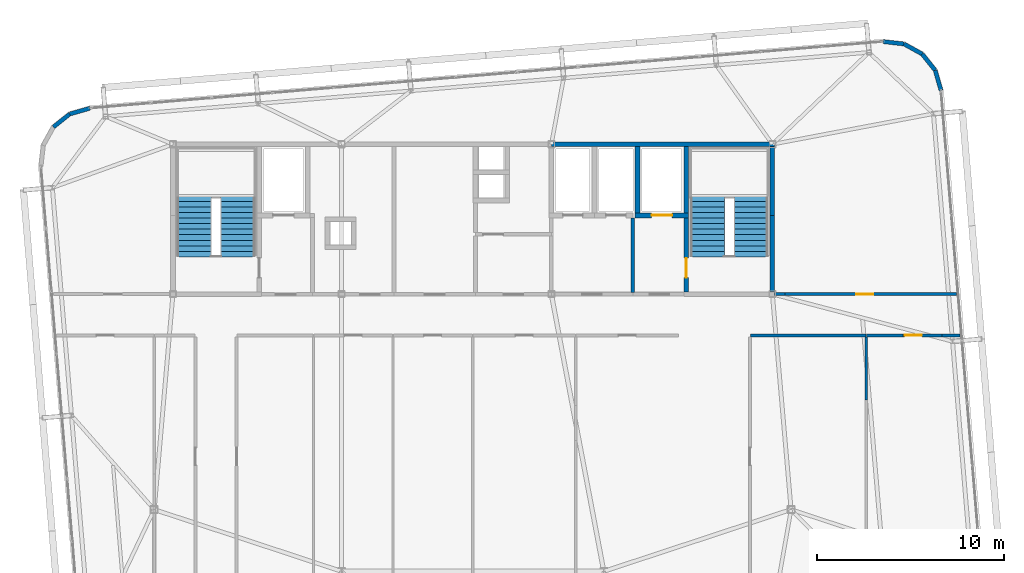
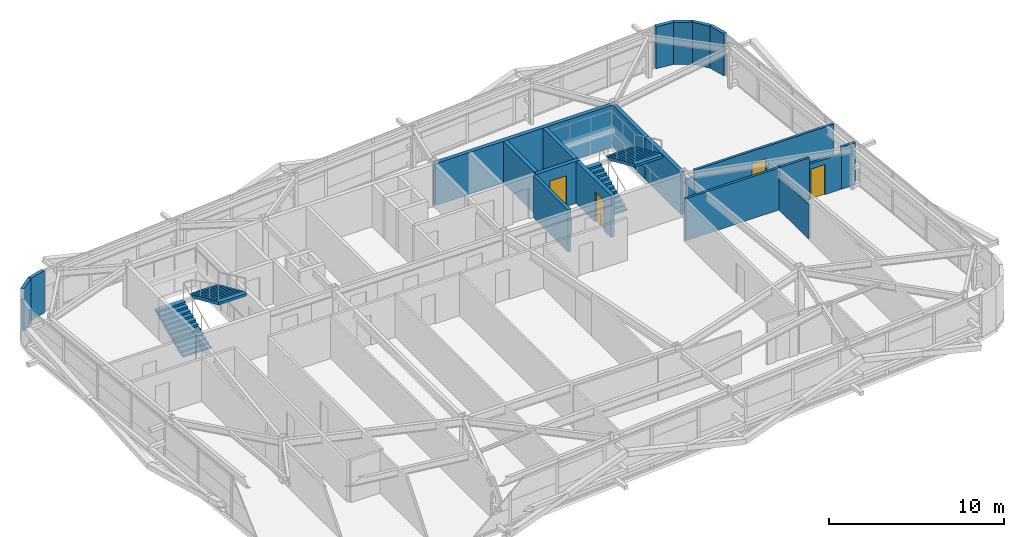
# One storey, part 44 of 46: 21 walls, 4 doors, 4 stair flights, 4 openings, 2 elements without a shape of their own.
"""IFC4 building model written with IfcOpenShell, lengths in metres."""

from ifc_helpers import new_model, si_unit, direction, frame, frame_2d, origin, place, context, subcontext, project, spatial, polyline, rectangle, outline, extrude, source, transform, mapped, material, layer, layer_set, type_object, element, fill, aggregate, save


model = new_model("IFC4")

# Units and contexts
model_context = context("Model", 3, precision=1e-05, world=origin(), true_north=direction((0.0, 1.0)))
body_context = subcontext(model_context, "Body", "Model", "MODEL_VIEW")
ifc_project = project(units=[si_unit("LENGTHUNIT", "METRE"), si_unit("AREAUNIT", "SQUARE_METRE"), si_unit("VOLUMEUNIT", "CUBIC_METRE"), si_unit("PLANEANGLEUNIT", "RADIAN"), si_unit("MASSUNIT", "GRAM", prefix="KILO")], contexts=[model_context])

# Site, building, storey
site_placement = place(None, origin())
site = spatial("IfcSite", under=ifc_project, at=site_placement, CompositionType="ELEMENT")
building_placement = place(site_placement, origin())
building = spatial("IfcBuilding", under=site, at=building_placement, Name="Taldren Reach Tower", CompositionType="ELEMENT")
storey_placement = place(building_placement, frame((0.0, 0.0, 194.60009765625)))
storey = spatial("IfcBuildingStorey", under=building, at=storey_placement, Name="L59", CompositionType="ELEMENT", Elevation=194.60009765625)

# Walls
ifc_material_1 = material(Name="Pale Champagne Anodised Aluminium Cladding", Category="aluminium")
ifc_layer_1 = layer(ifc_material_1, 0.04, Name="Pale Champagne Anodised Aluminium Cladding", Category="aluminium")
ifc_material_2 = material(Name="Mineral Wool Acoustic Insulation", Category="insulation")
ifc_layer_2 = layer(ifc_material_2, 0.06, Name="Mineral Wool Acoustic Insulation", Category="insulation")
ifc_material_3 = material(Name="Steel Gr 350 (C350L0)", Category="steel")
ifc_layer_3 = layer(ifc_material_3, 0.12, Name="Steel Gr 350 (C350L0)", Category="steel")
ifc_layer_set_1 = layer_set([ifc_layer_1, ifc_layer_2, ifc_layer_3], Name="Pale Champagne Aluminium Cladding and Steel Gr 350 Stud Framing")
wall_type_1 = type_object("IfcWallType", Name="EW-CRN-220", PredefinedType="SOLIDWALL", material=ifc_layer_set_1)
shared_shape_1 = source(origin(), body_context, "Body", "SweptSolid", [
    extrude(rectangle(XDim=1.115966796875, YDim=0.219970703125, at=frame_2d((0.55810546875, 0.0))), origin(), (0.0, 0.0, 1.0), 2.929931640625),
])
for number, where, z_axis, x_axis, name in (
    (1, (60.004150390625, 34.870361328125, 0.0), (0.0, 0.0, 1.0), (-0.276512002475, 0.961010464297, 0.0), "Rounded-corner pale-metal facade wall L59-NE1"),
    (2, (59.695556640625, 35.94287109375, 0.0), (0.0, 0.0, 1.0), (-0.623092886403, 0.782147847222, 0.0), "Rounded-corner pale-metal facade wall L59-NE2"),
    (3, (59.000244140625, 36.815673828125, 0.0), (0.0, 0.0, 1.0), (-0.875105012065, 0.483933071672, 0.0), "Rounded-corner pale-metal facade wall L59-NE3"),
    (4, (58.023681640625, 37.355712890625, 0.0), (0.0, 0.0, 1.0), (-0.993657581277, 0.112448259968, 0.0), "Rounded-corner pale-metal facade wall L59-NE4"),
    (5, (14.56396484375, 33.9248046875, 0.0), (0.0, 0.0, 1.0), (-0.961010464297, -0.276512002475, 0.0), "Rounded-corner pale-metal facade wall L59-NW1"),
):
    element("IfcWall", number, at=place(storey_placement, frame(where, z_axis=z_axis, x_axis=x_axis)), inside=storey, type_object=wall_type_1, Name=name, PredefinedType="SOLIDWALL", context=body_context, shape_type="MappedRepresentation", body=[
        mapped(shared_shape_1, transform((0.0, 0.0, 0.0), scale=1.0)),
    ])
shared_shape_2 = source(origin(), body_context, "Body", "SweptSolid", [
    extrude(rectangle(XDim=1.11572265625, YDim=0.219970703125, at=frame_2d((0.557861328125, 0.0))), origin(), (0.0, 0.0, 1.0), 2.929931640625),
])
wall_1_placement = place(storey_placement, frame((13.491455078125, 33.6162109375, 0.0), z_axis=(0.0, 0.0, 1.0), x_axis=(-0.782062884215, -0.623199522732, 0.0)))
element("IfcWall", 6, at=wall_1_placement, inside=storey, type_object=wall_type_1, Name="Rounded-corner pale-metal facade wall L59-NW2", PredefinedType="SOLIDWALL", context=body_context, shape_type="MappedRepresentation", body=[
    mapped(shared_shape_2, transform((0.0, 0.0, 0.0), scale=1.0)),
])
ifc_material_4 = material(Name="Concrete S65 (65 MPa)", Category="concrete")
ifc_layer_4 = layer(ifc_material_4, 0.25)
ifc_layer_set_2 = layer_set([ifc_layer_4], Name="Concrete S65 (65 MPa)")
wall_type_2 = type_object("IfcWallType", Name="IW-CORE-250", PredefinedType="SHEAR", material=ifc_layer_set_2)
shared_shape_3 = source(origin(), body_context, "Body", "SweptSolid", [
    extrude(rectangle(XDim=11.925048828125, YDim=0.25, at=frame_2d((5.96240234375, 0.0))), origin(), (0.0, 0.0, 1.0), 2.929931640625),
])
wall_2_placement = place(storey_placement, frame((39.199951171875, 32.0, 0.0), z_axis=(0.0, 0.0, 1.0), x_axis=(1.0, 0.0, 0.0)))
element("IfcWall", 7, at=wall_2_placement, inside=storey, type_object=wall_type_2, Name="Rear Core Shear Wall W-CORE-L59-NORTH3", PredefinedType="SHEAR", context=body_context, shape_type="MappedRepresentation", body=[
    mapped(shared_shape_3, transform((0.0, 0.0, 0.0), scale=1.0)),
])
shared_shape_4 = source(origin(), body_context, "Body", "SweptSolid", [
    extrude(rectangle(XDim=4.074951171875, YDim=0.25, at=frame_2d((2.03759765625, 0.0))), origin(), (0.0, 0.0, 1.0), 2.929931640625),
])
wall_3_placement = place(storey_placement, frame((51.0, 24.125, 0.0), z_axis=(0.0, 0.0, 1.0), x_axis=(0.0, 1.0, 0.0)))
element("IfcWall", 8, at=wall_3_placement, inside=storey, type_object=wall_type_2, Name="Rear Core Shear Wall W-CORE-L59-EAST1", PredefinedType="SHEAR", context=body_context, shape_type="MappedRepresentation", body=[
    mapped(shared_shape_4, transform((0.0, 0.0, 0.0), scale=1.0)),
])
shared_shape_5 = source(origin(), body_context, "Body", "SweptSolid", [
    extrude(rectangle(XDim=3.675048828125, YDim=0.25, at=frame_2d((1.83740234375, 0.0))), origin(), (0.0, 0.0, 1.0), 2.929931640625),
])
wall_4_placement = place(storey_placement, frame((51.0, 28.199951171875, 0.0), z_axis=(0.0, 0.0, 1.0), x_axis=(0.0, 1.0, 0.0)))
element("IfcWall", 9, at=wall_4_placement, inside=storey, type_object=wall_type_2, Name="Rear Core Shear Wall W-CORE-L59-EAST2", PredefinedType="SHEAR", context=body_context, shape_type="MappedRepresentation", body=[
    mapped(shared_shape_5, transform((0.0, 0.0, 0.0), scale=1.0)),
])
shared_shape_6 = source(origin(), body_context, "Body", "SweptSolid", [
    extrude(rectangle(XDim=3.550048828125, YDim=0.25, at=frame_2d((1.77490234375, 0.0))), origin(), (0.0, 0.0, 1.0), 2.929931640625),
])
for number, where, z_axis, x_axis, name in (
    (10, (46.39990234375, 31.875, 0.0), (0.0, 0.0, 1.0), (0.0, -1.0, 0.0), "Rear Core Shear Wall W-INT-L59-008"),
    (11, (43.800048828125, 31.875, 0.0), (0.0, 0.0, 1.0), (0.0, -1.0, 0.0), "Rear Core Shear Wall W-INT-L59-012"),
):
    element("IfcWall", number, at=place(storey_placement, frame(where, z_axis=z_axis, x_axis=x_axis)), inside=storey, type_object=wall_type_2, Name=name, PredefinedType="SHEAR", context=body_context, shape_type="MappedRepresentation", body=[
        mapped(shared_shape_6, transform((0.0, 0.0, 0.0), scale=1.0)),
    ])

# Wall, opening, door
shared_shape_7 = source(origin(), body_context, "Body", "SweptSolid", [
    extrude(rectangle(XDim=3.949951171875, YDim=0.25, at=frame_2d((1.97509765625, 0.0))), origin(), (0.0, 0.0, 1.0), 2.929931640625),
])
wall_5_placement = place(storey_placement, frame((46.39990234375, 28.074951171875, 0.0), z_axis=(0.0, 0.0, 1.0), x_axis=(0.0, -1.0, 0.0)))
wall_5 = element("IfcWall", 12, at=wall_5_placement, inside=storey, type_object=wall_type_2, Name="Rear Core Shear Wall W-INT-L59-009", PredefinedType="SHEAR", context=body_context, shape_type="MappedRepresentation", body=[
    mapped(shared_shape_7, transform((0.0, 0.0, 0.0), scale=1.0)),
])
shared_shape_8 = source(origin(), body_context, "Body", "SweptSolid", [
    extrude(rectangle(XDim=1.050048828125, YDim=2.10009765625, at=frame_2d((0.52490234375, 1.050048828125))), frame((0.0, 0.135009765625, 0.0), z_axis=(0.0, -1.0, 0.0), x_axis=(1.0, 0.0, 0.0)), (0.0, 0.0, 1.0), 0.27001953125),
])
opening_1_placement = place(wall_5_placement, frame((2.14990234375, 0.0, 0.0)))
opening_1 = element("IfcOpeningElement", 13, at=opening_1_placement, cuts=wall_5, Name="Opening DF-105", PredefinedType="OPENING", context=body_context, shape_type="MappedRepresentation", body=[
    mapped(shared_shape_8, transform((0.0, 0.0, 0.0), scale=1.0)),
])
ifc_material_5 = material(Name="Fire-Rated Care and Stair Exit Door")
door_type_1 = type_object("IfcDoorType", Name="ID-FIRE-105", OperationType="NOTDEFINED", PredefinedType="DOOR", material=ifc_material_5)
shared_shape_9 = source(origin(), body_context, "Body", "SweptSolid", [
    extrude(rectangle(XDim=1.050048828125, YDim=2.10009765625, at=frame_2d((0.52490234375, 1.050048828125))), frame((0.0, 0.02490234375, 0.0), z_axis=(0.0, -1.0, 0.0), x_axis=(1.0, 0.0, 0.0)), (0.0, 0.0, 1.0), 0.050048828125),
])
door_1_placement = place(opening_1_placement, origin())
door_1 = element("IfcDoor", 14, at=door_1_placement, inside=storey, type_object=door_type_1, Name="Fire Exit Stair Door DR-L59-003", OperationType="SINGLE_SWING_RIGHT", OverallHeight=2.10009765625, OverallWidth=1.050048828125, PredefinedType="DOOR", context=body_context, shape_type="MappedRepresentation", body=[
    mapped(shared_shape_9, transform((0.0, 0.0, 0.0), scale=1.0)),
])
fill(opening_1, door_1)

shared_shape_10 = source(origin(), body_context, "Body", "SweptSolid", [
    extrude(rectangle(XDim=2.849853515625, YDim=0.25, at=frame_2d((1.4248046875, 0.0))), origin(), (0.0, 0.0, 1.0), 2.929931640625),
])
wall_6_placement = place(storey_placement, frame((43.675048828125, 28.199951171875, 0.0), z_axis=(0.0, 0.0, 1.0), x_axis=(1.0, 0.0, 0.0)))
wall_6 = element("IfcWall", 15, at=wall_6_placement, inside=storey, type_object=wall_type_2, Name="Rear Core Shear Wall W-INT-L59-011", PredefinedType="SHEAR", context=body_context, shape_type="MappedRepresentation", body=[
    mapped(shared_shape_10, transform((0.0, 0.0, 0.0), scale=1.0)),
])
shared_shape_11 = source(origin(), body_context, "Body", "SweptSolid", [
    extrude(rectangle(XDim=1.10009765625, YDim=2.14990234375, at=frame_2d((0.550048828125, 1.074951171875))), frame((0.0, 0.135009765625, 0.0), z_axis=(0.0, -1.0, 0.0), x_axis=(1.0, 0.0, 0.0)), (0.0, 0.0, 1.0), 0.27001953125),
])
opening_2_placement = place(wall_6_placement, frame((0.875, 0.0, 0.0)))
opening_2 = element("IfcOpeningElement", 16, at=opening_2_placement, cuts=wall_6, Name="Opening LD-FL2", PredefinedType="OPENING", context=body_context, shape_type="MappedRepresentation", body=[
    mapped(shared_shape_11, transform((0.0, 0.0, 0.0), scale=1.0)),
])
ifc_material_6 = material(Name="Stainless Steel Gr 316 Emergency Lift Landing Door", Category="steel")
door_type_2 = type_object("IfcDoorType", Name="LD-EMG-110", OperationType="SLIDING_TO_LEFT", PredefinedType="DOOR", material=ifc_material_6)
shared_shape_12 = source(origin(), body_context, "Body", "SweptSolid", [
    extrude(rectangle(XDim=1.10009765625, YDim=2.14990234375, at=frame_2d((0.550048828125, 1.074951171875))), frame((0.0, 0.02490234375, 0.0), z_axis=(0.0, -1.0, 0.0), x_axis=(1.0, 0.0, 0.0)), (0.0, 0.0, 1.0), 0.050048828125),
])
door_2_placement = place(opening_2_placement, origin())
door_2 = element("IfcDoor", 17, at=door_2_placement, inside=storey, type_object=door_type_2, Name="Lift Landing Door LD-FL2-L59", OperationType="SLIDING_TO_LEFT", OverallHeight=2.14990234375, OverallWidth=1.10009765625, PredefinedType="DOOR", context=body_context, shape_type="MappedRepresentation", body=[
    mapped(shared_shape_12, transform((0.0, 0.0, 0.0), scale=1.0)),
])
fill(opening_2, door_2)

# Walls
ifc_material_7 = material(Name="Concrete S50 (50 MPa)", Category="concrete")
ifc_layer_5 = layer(ifc_material_7, 0.199951171875)
ifc_layer_set_3 = layer_set([ifc_layer_5], Name="Concrete S50 (50 MPa)")
wall_type_3 = type_object("IfcWallType", Name="IW-CORE-200", PredefinedType="SOLIDWALL", material=ifc_layer_set_3)
shared_shape_13 = source(origin(), body_context, "Body", "SweptSolid", [
    extrude(rectangle(XDim=3.974853515625, YDim=0.199951171875, at=frame_2d((1.9873046875, 0.0))), origin(), (0.0, 0.0, 1.0), 2.929931640625),
])
wall_7_placement = place(storey_placement, frame((43.550048828125, 28.074951171875, 0.0), z_axis=(0.0, 0.0, 1.0), x_axis=(0.0, -1.0, 0.0)))
element("IfcWall", 18, at=wall_7_placement, inside=storey, type_object=wall_type_3, Name="Rear Core Shear Wall W-INT-L59-013", PredefinedType="SOLIDWALL", context=body_context, shape_type="MappedRepresentation", body=[
    mapped(shared_shape_13, transform((0.0, 0.0, 0.0), scale=1.0)),
])
ifc_material_8 = material(Name="Fire-Rated Acoustic Plasterboard Stud Wall", Category="gypsum")
ifc_layer_6 = layer(ifc_material_8, 0.159912109375)
ifc_layer_set_4 = layer_set([ifc_layer_6], Name="Fire-Rated Acoustic Plasterboard Stud Wall")
wall_type_4 = type_object("IfcWallType", Name="IW-FIRE-160", PredefinedType="PARTITIONING", material=ifc_layer_set_4)
shared_shape_14 = source(origin(), body_context, "Body", "SweptSolid", [
    extrude(rectangle(XDim=0.5556640625, YDim=0.159912109375, at=frame_2d((0.27783203125, 0.0))), origin(), (0.0, 0.0, 1.0), 2.469970703125),
])
wall_8_placement = place(storey_placement, frame((51.125, 24.0, 0.0), z_axis=(0.0, 0.0, 1.0), x_axis=(1.0, 0.0, 0.0)))
element("IfcWall", 19, at=wall_8_placement, inside=storey, type_object=wall_type_4, Name="Interior Partition Wall W-INT-L59-049", PredefinedType="PARTITIONING", context=body_context, shape_type="MappedRepresentation", body=[
    mapped(shared_shape_14, transform((0.0, 0.0, 0.0), scale=1.0)),
])

# Wall, opening, door
shared_shape_15 = source(origin(), body_context, "Body", "SweptSolid", [
    extrude(rectangle(XDim=9.15283203125, YDim=0.159912109375, at=frame_2d((4.576416015625, 0.0))), origin(), (0.0, 0.0, 1.0), 2.929931640625),
])
wall_9_placement = place(storey_placement, frame((51.6806640625, 24.0, 0.0), z_axis=(0.0, 0.0, 1.0), x_axis=(1.0, 0.0, 0.0)))
wall_9 = element("IfcWall", 20, at=wall_9_placement, inside=storey, type_object=wall_type_4, Name="Interior Partition Wall W-INT-L59-049 part 2", PredefinedType="PARTITIONING", context=body_context, shape_type="MappedRepresentation", body=[
    mapped(shared_shape_15, transform((0.0, 0.0, 0.0), scale=1.0)),
])
shared_shape_16 = source(origin(), body_context, "Body", "SweptSolid", [
    extrude(rectangle(XDim=0.919921875, YDim=2.10009765625, at=frame_2d((0.4599609375, 1.050048828125))), frame((0.0, 0.08984375, 0.0), z_axis=(0.0, -1.0, 0.0), x_axis=(1.0, 0.0, 0.0)), (0.0, 0.0, 1.0), 0.179931640625),
])
opening_3_placement = place(wall_9_placement, frame((3.7861328125, 0.0, 0.0)))
opening_3 = element("IfcOpeningElement", 21, at=opening_3_placement, cuts=wall_9, Name="Opening DI-092", PredefinedType="OPENING", context=body_context, shape_type="MappedRepresentation", body=[
    mapped(shared_shape_16, transform((0.0, 0.0, 0.0), scale=1.0)),
])
ifc_material_9 = material(Name="Solid-Core Timber Suite Door", Category="wood")
door_type_3 = type_object("IfcDoorType", Name="ID-INT-092", OperationType="NOTDEFINED", PredefinedType="DOOR", material=ifc_material_9)
shared_shape_17 = source(origin(), body_context, "Body", "SweptSolid", [
    extrude(rectangle(XDim=0.919921875, YDim=2.10009765625, at=frame_2d((0.4599609375, 1.050048828125))), frame((0.0, 0.02490234375, 0.0), z_axis=(0.0, -1.0, 0.0), x_axis=(1.0, 0.0, 0.0)), (0.0, 0.0, 1.0), 0.050048828125),
])
door_3_placement = place(opening_3_placement, origin())
door_3 = element("IfcDoor", 22, at=door_3_placement, inside=storey, type_object=door_type_3, Name="Interior Door DR-L59-017", OperationType="SINGLE_SWING_RIGHT", OverallHeight=2.10009765625, OverallWidth=0.919921875, PredefinedType="DOOR", context=body_context, shape_type="MappedRepresentation", body=[
    mapped(shared_shape_17, transform((0.0, 0.0, 0.0), scale=1.0)),
])
fill(opening_3, door_3)

# Walls
shared_shape_18 = source(origin(), body_context, "Body", "SweptSolid", [
    extrude(rectangle(XDim=0.9453125, YDim=0.159912109375, at=frame_2d((0.47265625, 0.0))), origin(), (0.0, 0.0, 1.0), 2.929931640625),
])
wall_10_placement = place(storey_placement, frame((61.004638671875, 21.800048828125, 0.0), z_axis=(0.0, 0.0, 1.0), x_axis=(-1.0, 0.0, 0.0)))
element("IfcWall", 23, at=wall_10_placement, inside=storey, type_object=wall_type_4, Name="Interior Partition Wall W-INT-L59-054", PredefinedType="PARTITIONING", context=body_context, shape_type="MappedRepresentation", body=[
    mapped(shared_shape_18, transform((0.0, 0.0, 0.0), scale=1.0)),
])
shared_shape_19 = source(origin(), body_context, "Body", "SweptSolid", [
    extrude(rectangle(XDim=6.177001953125, YDim=0.159912109375, at=frame_2d((3.08837890625, 0.0))), origin(), (0.0, 0.0, 1.0), 2.929931640625),
])
wall_11_placement = place(storey_placement, frame((55.997314453125, 21.800048828125, 0.0), z_axis=(0.0, 0.0, 1.0), x_axis=(-1.0, 0.0, 0.0)))
element("IfcWall", 24, at=wall_11_placement, inside=storey, type_object=wall_type_4, Name="Interior Partition Wall W-INT-L59-053", PredefinedType="PARTITIONING", context=body_context, shape_type="MappedRepresentation", body=[
    mapped(shared_shape_19, transform((0.0, 0.0, 0.0), scale=1.0)),
])

# Wall, opening, door
shared_shape_20 = source(origin(), body_context, "Body", "SweptSolid", [
    extrude(rectangle(XDim=2.09814453125, YDim=0.159912109375, at=frame_2d((1.049072265625, 0.0))), origin(), (0.0, 0.0, 1.0), 2.469970703125),
])
wall_12_placement = place(storey_placement, frame((60.059326171875, 21.800048828125, 0.0), z_axis=(0.0, 0.0, 1.0), x_axis=(-1.0, 0.0, 0.0)))
wall_12 = element("IfcWall", 25, at=wall_12_placement, inside=storey, type_object=wall_type_4, Name="Interior Partition Wall W-INT-L59-054 part 2", PredefinedType="PARTITIONING", context=body_context, shape_type="MappedRepresentation", body=[
    mapped(shared_shape_20, transform((0.0, 0.0, 0.0), scale=1.0)),
])
opening_4_placement = place(wall_12_placement, frame((1.078125, 0.0, 0.0)))
opening_4 = element("IfcOpeningElement", 26, at=opening_4_placement, cuts=wall_12, Name="Opening DI-092", PredefinedType="OPENING", context=body_context, shape_type="MappedRepresentation", body=[
    mapped(shared_shape_16, transform((0.0, 0.0, 0.0), scale=1.0)),
])
door_4_placement = place(opening_4_placement, origin())
door_4 = element("IfcDoor", 27, at=door_4_placement, inside=storey, type_object=door_type_3, Name="Interior Door DR-L59-021", OperationType="SINGLE_SWING_RIGHT", OverallHeight=2.10009765625, OverallWidth=0.919921875, PredefinedType="DOOR", context=body_context, shape_type="MappedRepresentation", body=[
    mapped(shared_shape_17, transform((0.0, 0.0, 0.0), scale=1.0)),
])
fill(opening_4, door_4)

# Walls
shared_shape_21 = source(origin(), body_context, "Body", "SweptSolid", [
    extrude(rectangle(XDim=1.923583984375, YDim=0.159912109375, at=frame_2d((0.9619140625, 0.0))), origin(), (0.0, 0.0, 1.0), 2.929931640625),
])
wall_13_placement = place(storey_placement, frame((57.961181640625, 21.800048828125, 0.0), z_axis=(0.0, 0.0, 1.0), x_axis=(-1.0, 0.0, 0.0)))
element("IfcWall", 28, at=wall_13_placement, inside=storey, type_object=wall_type_4, Name="Interior Partition Wall W-INT-L59-054 part 3", PredefinedType="PARTITIONING", context=body_context, shape_type="MappedRepresentation", body=[
    mapped(shared_shape_21, transform((0.0, 0.0, 0.0), scale=1.0)),
])
ifc_material_10 = material(Name="Insulated Residential Stud Partition", Category="gypsum")
ifc_layer_7 = layer(ifc_material_10, 0.1201171875)
ifc_layer_set_5 = layer_set([ifc_layer_7], Name="Insulated Residential Stud Partition")
wall_type_5 = type_object("IfcWallType", Name="IW-PART-120", PredefinedType="PARTITIONING", material=ifc_layer_set_5)
shared_shape_22 = source(origin(), body_context, "Body", "SweptSolid", [
    extrude(rectangle(XDim=3.359130859375, YDim=0.1201171875, at=frame_2d((1.6796875, 0.0))), origin(), (0.0, 0.0, 1.0), 2.39697265625),
])
wall_14_placement = place(storey_placement, frame((56.017578125, 21.719970703125, 0.0), z_axis=(0.0, 0.0, 1.0), x_axis=(0.0, -1.0, 0.0)))
element("IfcWall", 29, at=wall_14_placement, inside=storey, type_object=wall_type_5, Name="Interior Partition Wall W-INT-L59-066", PredefinedType="PARTITIONING", context=body_context, shape_type="MappedRepresentation", body=[
    mapped(shared_shape_22, transform((0.0, 0.0, 0.0), scale=1.0)),
])

# Stair, stair flights
stair_type = type_object("IfcStairType", Name="ST-HT-315", PredefinedType="HALF_TURN_STAIR", material=ifc_material_7)
stair_1_placement = place(storey_placement, origin())
stair_1 = element("IfcStair", 30, at=stair_1_placement, inside=storey, type_object=stair_type, Name="Fire-isolated exit stair ST1 L59", PredefinedType="HALF_TURN_STAIR")
stair_flight_type = type_object("IfcStairFlightType", Name="SF-STR-315", PredefinedType="STRAIGHT", material=ifc_material_7)
stair_flight_1_placement = place(storey_placement, frame((20.139892578125, 25.989990234375, 0.0), z_axis=(0.0, 0.0, 1.0), x_axis=(0.0, 1.0, 0.0)))
stair_flight_1 = element("IfcStairFlight", 31, at=stair_flight_1_placement, type_object=stair_flight_type, Name="ST1 flight 1", NumberOfRisers=12, NumberOfTreads=11, PredefinedType="STRAIGHT", RiserHeight=0.13125, TreadLength=0.295, context=body_context, shape_type="SweptSolid", body=[
    extrude(outline(polyline([(0.0, 0.0), (0.0, 0.13134765625), (0.294921875, 0.13134765625), (0.294921875, 0.262451171875), (0.590087890625, 0.262451171875), (0.590087890625, 0.393798828125), (0.885009765625, 0.393798828125), (0.885009765625, 0.52490234375), (1.179931640625, 0.52490234375), (1.179931640625, 0.65625), (1.47509765625, 0.65625), (1.47509765625, 0.78759765625), (1.77001953125, 0.78759765625), (1.77001953125, 0.918701171875), (2.06494140625, 0.918701171875), (2.06494140625, 1.050048828125), (2.360107421875, 1.050048828125), (2.360107421875, 1.18115234375), (2.655029296875, 1.18115234375), (2.655029296875, 1.3125), (2.949951171875, 1.3125), (2.949951171875, 1.44384765625), (3.2451171875, 1.44384765625), (3.2451171875, 1.574951171875), (3.2451171875, 1.268798828125), (0.393310546875, 0.0), (0.0, 0.0)])), frame((0.0, 0.919921875, 0.0), z_axis=(0.0, -1.0, 0.0), x_axis=(1.0, 0.0, 0.0)), (0.0, 0.0, 1.0), 1.840087890625),
])
stair_flight_2_placement = place(storey_placement, frame((22.4599609375, 29.235107421875, 1.574951171875), z_axis=(0.0, 0.0, 1.0), x_axis=(0.0, -1.0, 0.0)))
stair_flight_2 = element("IfcStairFlight", 32, at=stair_flight_2_placement, type_object=stair_flight_type, Name="ST1 flight 2", NumberOfRisers=12, NumberOfTreads=11, PredefinedType="STRAIGHT", RiserHeight=0.13125, TreadLength=0.295, context=body_context, shape_type="SweptSolid", body=[
    extrude(outline(polyline([(0.0, 0.0), (0.0, 0.13134765625), (0.294921875, 0.13134765625), (0.294921875, 0.262451171875), (0.590087890625, 0.262451171875), (0.590087890625, 0.393798828125), (0.885009765625, 0.393798828125), (0.885009765625, 0.52490234375), (1.179931640625, 0.52490234375), (1.179931640625, 0.65625), (1.47509765625, 0.65625), (1.47509765625, 0.78759765625), (1.77001953125, 0.78759765625), (1.77001953125, 0.918701171875), (2.06494140625, 0.918701171875), (2.06494140625, 1.050048828125), (2.360107421875, 1.050048828125), (2.360107421875, 1.18115234375), (2.655029296875, 1.18115234375), (2.655029296875, 1.3125), (2.949951171875, 1.3125), (2.949951171875, 1.44384765625), (3.2451171875, 1.44384765625), (3.2451171875, 1.574951171875), (3.2451171875, 1.268798828125), (0.393310546875, 0.0), (0.0, 0.0)])), frame((0.0, 0.919921875, 0.0), z_axis=(0.0, -1.0, 0.0), x_axis=(1.0, 0.0, 0.0)), (0.0, 0.0, 1.0), 1.840087890625),
])
aggregate(stair_1, [stair_flight_1, stair_flight_2])

stair_2_placement = place(storey_placement, origin())
stair_2 = element("IfcStair", 33, at=stair_2_placement, inside=storey, type_object=stair_type, Name="Fire-isolated exit stair ST2 L59", PredefinedType="HALF_TURN_STAIR")
stair_flight_3_placement = place(storey_placement, frame((47.5400390625, 25.989990234375, 0.0), z_axis=(0.0, 0.0, 1.0), x_axis=(0.0, 1.0, 0.0)))
stair_flight_3 = element("IfcStairFlight", 34, at=stair_flight_3_placement, type_object=stair_flight_type, Name="ST2 flight 1", NumberOfRisers=12, NumberOfTreads=11, PredefinedType="STRAIGHT", RiserHeight=0.13125, TreadLength=0.295, context=body_context, shape_type="SweptSolid", body=[
    extrude(outline(polyline([(0.0, 0.0), (0.0, 0.13134765625), (0.294921875, 0.13134765625), (0.294921875, 0.262451171875), (0.590087890625, 0.262451171875), (0.590087890625, 0.393798828125), (0.885009765625, 0.393798828125), (0.885009765625, 0.52490234375), (1.179931640625, 0.52490234375), (1.179931640625, 0.65625), (1.47509765625, 0.65625), (1.47509765625, 0.78759765625), (1.77001953125, 0.78759765625), (1.77001953125, 0.918701171875), (2.06494140625, 0.918701171875), (2.06494140625, 1.050048828125), (2.360107421875, 1.050048828125), (2.360107421875, 1.18115234375), (2.655029296875, 1.18115234375), (2.655029296875, 1.3125), (2.949951171875, 1.3125), (2.949951171875, 1.44384765625), (3.2451171875, 1.44384765625), (3.2451171875, 1.574951171875), (3.2451171875, 1.268798828125), (0.393310546875, 0.0), (0.0, 0.0)])), frame((0.0, 0.919921875, 0.0), z_axis=(0.0, -1.0, 0.0), x_axis=(1.0, 0.0, 0.0)), (0.0, 0.0, 1.0), 1.840087890625),
])
stair_flight_4_placement = place(storey_placement, frame((49.860107421875, 29.235107421875, 1.574951171875), z_axis=(0.0, 0.0, 1.0), x_axis=(0.0, -1.0, 0.0)))
stair_flight_4 = element("IfcStairFlight", 35, at=stair_flight_4_placement, type_object=stair_flight_type, Name="ST2 flight 2", NumberOfRisers=12, NumberOfTreads=11, PredefinedType="STRAIGHT", RiserHeight=0.13125, TreadLength=0.295, context=body_context, shape_type="SweptSolid", body=[
    extrude(outline(polyline([(0.0, 0.0), (0.0, 0.13134765625), (0.294921875, 0.13134765625), (0.294921875, 0.262451171875), (0.590087890625, 0.262451171875), (0.590087890625, 0.393798828125), (0.885009765625, 0.393798828125), (0.885009765625, 0.52490234375), (1.179931640625, 0.52490234375), (1.179931640625, 0.65625), (1.47509765625, 0.65625), (1.47509765625, 0.78759765625), (1.77001953125, 0.78759765625), (1.77001953125, 0.918701171875), (2.06494140625, 0.918701171875), (2.06494140625, 1.050048828125), (2.360107421875, 1.050048828125), (2.360107421875, 1.18115234375), (2.655029296875, 1.18115234375), (2.655029296875, 1.3125), (2.949951171875, 1.3125), (2.949951171875, 1.44384765625), (3.2451171875, 1.44384765625), (3.2451171875, 1.574951171875), (3.2451171875, 1.268798828125), (0.393310546875, 0.0), (0.0, 0.0)])), frame((0.0, 0.919921875, 0.0), z_axis=(0.0, -1.0, 0.0), x_axis=(1.0, 0.0, 0.0)), (0.0, 0.0, 1.0), 1.840087890625),
])
aggregate(stair_2, [stair_flight_3, stair_flight_4])

save(model, "model.ifc")
